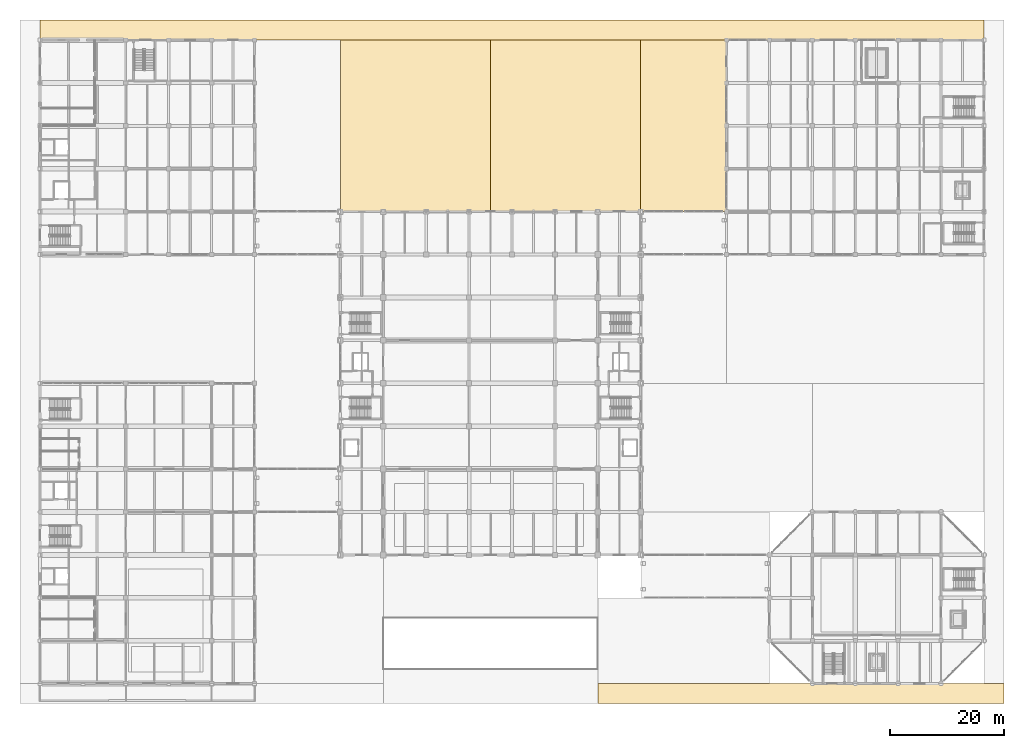
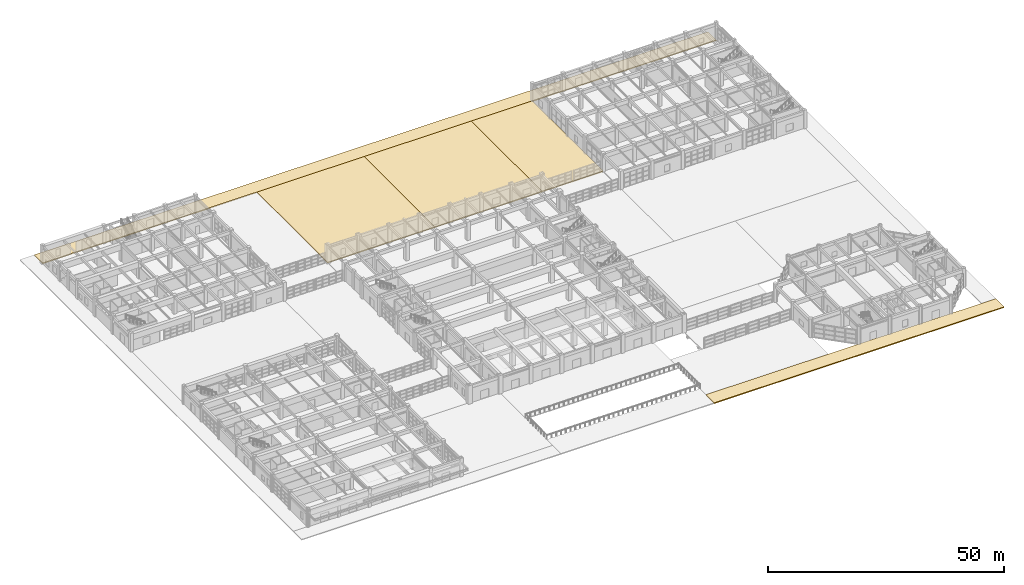
# One storey, part 118 of 122: 5 coverings.
"""IFC4 building model written with IfcOpenShell, lengths in metres."""

from ifc_helpers import new_model, si_unit, direction, frame, origin, place, context, subcontext, project, spatial, polyline, outline, extrude, material, layer, layer_set, type_object, element, save


model = new_model("IFC4")

# Units and contexts
model_context = context("Model", 3, precision=1e-05, world=origin(), true_north=direction((0.0, 1.0)))
body_context = subcontext(model_context, "Body", "Model", "MODEL_VIEW")
ifc_project = project(units=[si_unit("LENGTHUNIT", "METRE"), si_unit("AREAUNIT", "SQUARE_METRE"), si_unit("VOLUMEUNIT", "CUBIC_METRE"), si_unit("PLANEANGLEUNIT", "RADIAN"), si_unit("MASSUNIT", "GRAM", prefix="KILO")], contexts=[model_context])

# Site, building, storey
site_placement = place(None, origin())
site = spatial("IfcSite", under=ifc_project, at=site_placement, CompositionType="ELEMENT")
building_placement = place(site_placement, origin())
building = spatial("IfcBuilding", under=site, at=building_placement, Name="Qasida Concert Hall", CompositionType="ELEMENT")
storey_placement = place(building_placement, origin())
storey = spatial("IfcBuildingStorey", under=building, at=storey_placement, Name="L00", CompositionType="ELEMENT", Elevation=0.0)

# Coverings
ifc_material = material(Name="Bush-hammered Lebanese limestone plaza paving", Category="masonry")
ifc_layer = layer(ifc_material, 0.25, Name="Bush-hammered Lebanese limestone plaza paving")
ifc_layer_set = layer_set([ifc_layer], Name="Bush-hammered Lebanese limestone plaza paving")
covering_type = type_object("IfcCoveringType", Name="CV-PAV-250", PredefinedType="FLOORING", material=ifc_layer_set)
covering_1_placement = place(storey_placement, frame((0.0, 0.0, -0.25)))
element("IfcCovering", 1, at=covering_1_placement, inside=storey, type_object=covering_type, Name="L00 South boulevard promenade east", PredefinedType="FLOORING", context=body_context, shape_type="SweptSolid", body=[
    extrude(outline(polyline([(97.5, -3.5), (168.5, -3.5), (168.5, 0.0), (97.5, 0.0), (97.5, -3.5)])), origin(), (0.0, 0.0, 1.0), 0.25),
])
covering_2_placement = place(storey_placement, frame((0.0, 0.0, -0.25)))
element("IfcCovering", 2, at=covering_2_placement, inside=storey, type_object=covering_type, Name="L00 North stagehouse boulevard apron", PredefinedType="FLOORING", context=body_context, shape_type="SweptSolid", body=[
    extrude(outline(polyline([(0.0, 112.5), (165.0, 112.5), (165.0, 116.0), (0.0, 116.0), (0.0, 112.5)])), origin(), (0.0, 0.0, 1.0), 0.25),
])
covering_3_placement = place(storey_placement, frame((0.0, 0.0, -0.25)))
element("IfcCovering", 3, at=covering_3_placement, inside=storey, type_object=covering_type, Name="L00 North symphony court west", PredefinedType="FLOORING", context=body_context, shape_type="SweptSolid", body=[
    extrude(outline(polyline([(52.5, 82.5), (78.75, 82.5), (78.75, 112.5), (52.5, 112.5), (52.5, 82.5)])), origin(), (0.0, 0.0, 1.0), 0.25),
])
covering_4_placement = place(storey_placement, frame((0.0, 0.0, -0.25)))
element("IfcCovering", 4, at=covering_4_placement, inside=storey, type_object=covering_type, Name="L00 North symphony court east", PredefinedType="FLOORING", context=body_context, shape_type="SweptSolid", body=[
    extrude(outline(polyline([(78.75, 82.5), (105.0, 82.5), (105.0, 112.5), (78.75, 112.5), (78.75, 82.5)])), origin(), (0.0, 0.0, 1.0), 0.25),
])
covering_5_placement = place(storey_placement, frame((0.0, 0.0, -0.25)))
element("IfcCovering", 5, at=covering_5_placement, inside=storey, type_object=covering_type, Name="L00 North-east stage court plaza", PredefinedType="FLOORING", context=body_context, shape_type="SweptSolid", body=[
    extrude(outline(polyline([(105.0, 82.5), (120.0, 82.5), (120.0, 112.5), (105.0, 112.5), (105.0, 82.5)])), origin(), (0.0, 0.0, 1.0), 0.25),
])

save(model, "model.ifc")
